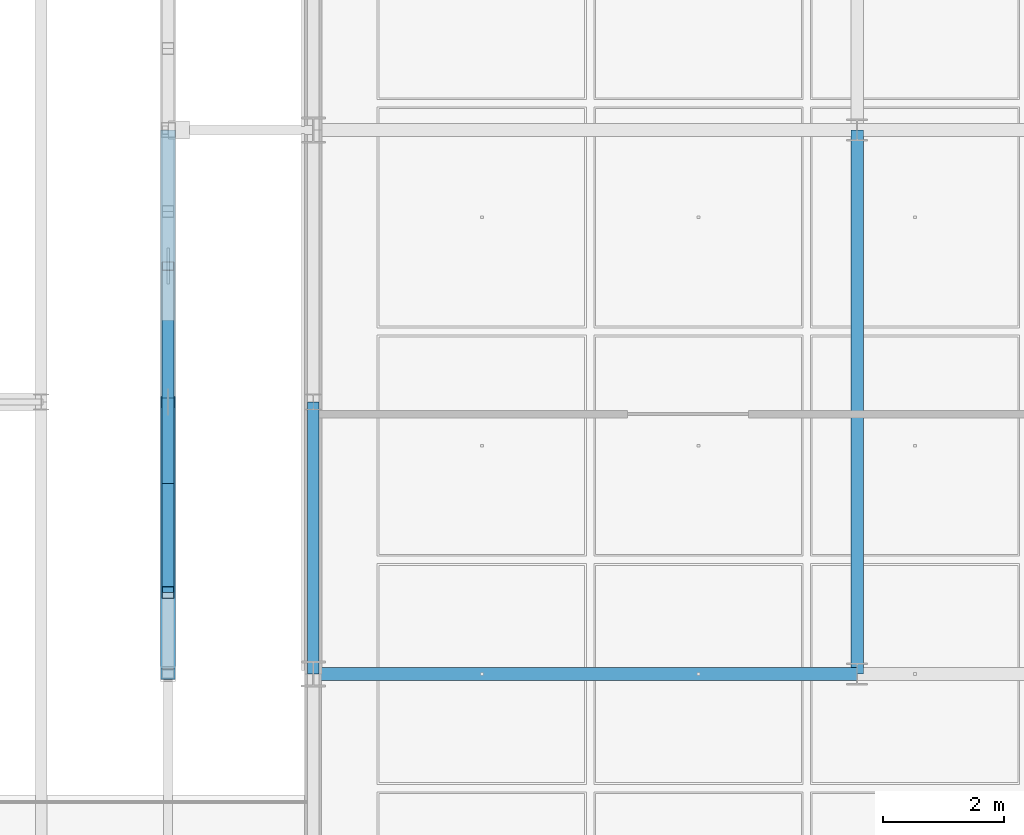
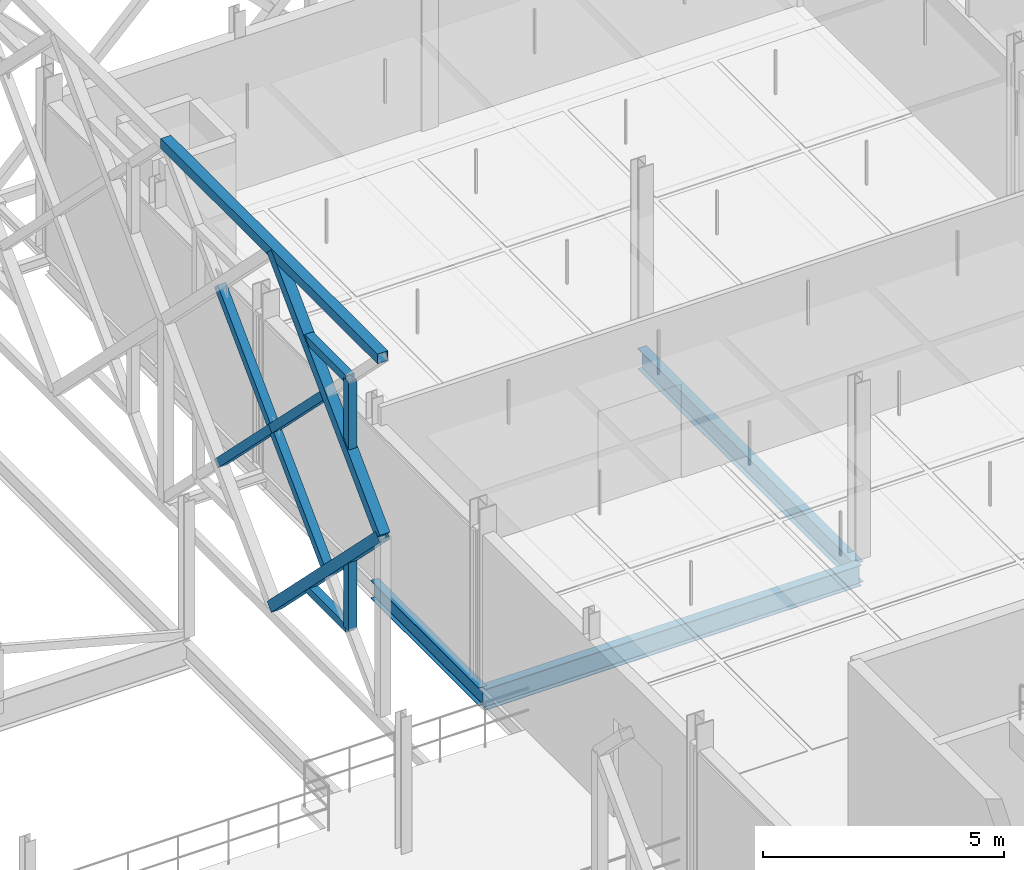
# One storey, part 24 of 140: 10 members, 3 beams.
"""IFC4 building model written with IfcOpenShell, lengths in metres."""

from ifc_helpers import new_model, si_unit, direction, frame, origin, origin_2d, place, context, subcontext, project, spatial, hollow_rectangle, i_section, extrude, material, material_profile, profile_set, type_object, element, save


model = new_model("IFC4")

# Units and contexts
model_context = context("Model", 3, precision=1e-05, world=origin(), true_north=direction((0.0, 1.0)))
body_context = subcontext(model_context, "Body", "Model", "MODEL_VIEW")
ifc_project = project(units=[si_unit("LENGTHUNIT", "METRE"), si_unit("AREAUNIT", "SQUARE_METRE"), si_unit("VOLUMEUNIT", "CUBIC_METRE"), si_unit("PLANEANGLEUNIT", "RADIAN"), si_unit("MASSUNIT", "GRAM", prefix="KILO"), si_unit("THERMODYNAMICTEMPERATUREUNIT", "KELVIN"), si_unit("POWERUNIT", "WATT")], contexts=[model_context])

# Site, building, storey
site_placement = place(None, origin())
site = spatial("IfcSite", under=ifc_project, at=site_placement, CompositionType="ELEMENT")
building_placement = place(site_placement, origin())
building = spatial("IfcBuilding", under=site, at=building_placement, Name="Tallowbark Science Centre", CompositionType="ELEMENT")
storey_placement = place(building_placement, frame((0.0, 0.0, 9.89990234375)))
storey = spatial("IfcBuildingStorey", under=building, at=storey_placement, Name="L02", CompositionType="ELEMENT", Elevation=9.89990234375)

# Beams
ifc_material_1 = material(Name="Structural Steel Grade 300PLUS (300 MPa)", Category="steel")
ifc_material_profile_1 = material_profile(ifc_material_1, i_section(OverallWidth=0.208984375, OverallDepth=0.532958984375, WebThickness=0.01025390625, FlangeThickness=0.015625, FilletRadius=0.013916015625, at=origin_2d()), Name="530UB92.4")
ifc_profile_set_1 = profile_set([ifc_material_profile_1], Name="Structural Steel Grade 300PLUS (300 MPa)")
beam_type_1 = type_object("IfcBeamType", Name="BM-UB530A", PredefinedType="BEAM", material=ifc_profile_set_1)
beam_1_placement = place(storey_placement, frame((58.5, 22.5, -0.4462890625), z_axis=(1.0, 0.0, 0.0), x_axis=(0.0, 1.0, 0.0)))
element("IfcBeam", 1, at=beam_1_placement, inside=storey, type_object=beam_type_1, Name="Primary Girder GRDX-L02-585-675-225", PredefinedType="BEAM", context=body_context, shape_type="SweptSolid", body=[
    extrude(i_section(OverallWidth=0.208984375, OverallDepth=0.532958984375, WebThickness=0.01025390625, FlangeThickness=0.015625, FilletRadius=0.013916015625, at=origin_2d()), origin(), (0.0, 0.0, 1.0), 9.0),
])
ifc_material_profile_2 = material_profile(ifc_material_1, i_section(OverallWidth=0.208740234375, OverallDepth=0.5283203125, WebThickness=0.009521484375, FlangeThickness=0.01318359375, FilletRadius=0.013916015625, at=origin_2d()), Name="530UB82.0")
ifc_profile_set_2 = profile_set([ifc_material_profile_2], Name="Structural Steel Grade 300PLUS (300 MPa)")
beam_type_2 = type_object("IfcBeamType", Name="BM-UB530B", PredefinedType="BEAM", material=ifc_profile_set_2)
beam_2_placement = place(storey_placement, frame((67.5, 22.5, -0.444091796875), z_axis=(0.0, 1.0, 0.0), x_axis=(-1.0, 0.0, 0.0)))
element("IfcBeam", 2, at=beam_2_placement, inside=storey, type_object=beam_type_2, Name="Primary Girder GRDY-L02-675-225-315", PredefinedType="BEAM", context=body_context, shape_type="SweptSolid", body=[
    extrude(i_section(OverallWidth=0.208740234375, OverallDepth=0.5283203125, WebThickness=0.009521484375, FlangeThickness=0.01318359375, FilletRadius=0.013916015625, at=origin_2d()), origin(), (0.0, 0.0, 1.0), 9.0),
])

# Members
ifc_material_2 = material(Name="White Architectural Painted Steel Grade C350L0 (350 MPa)", Category="steel")
ifc_material_profile_3 = material_profile(ifc_material_2, hollow_rectangle(XDim=0.25, YDim=0.25, WallThickness=0.009033203125, at=origin_2d()), Name="250x250x9.0SHS")
ifc_profile_set_3 = profile_set([ifc_material_profile_3], Name="White Architectural Painted Steel Grade C350L0 (350 MPa)")
member_type_1 = type_object("IfcMemberType", Name="SCR-CHD200", PredefinedType="CHORD", material=ifc_profile_set_3)
member_1_placement = place(storey_placement, frame((56.10009765625, 22.5, 9.0), z_axis=(0.0, 1.0, 0.0), x_axis=(-1.0, 0.0, 0.0)))
element("IfcMember", 3, at=member_1_placement, inside=storey, type_object=member_type_1, Name="Star Screen Frame Chord W-32", PredefinedType="CHORD", context=body_context, shape_type="SweptSolid", body=[
    extrude(hollow_rectangle(XDim=0.25, YDim=0.25, WallThickness=0.009033203125, at=origin_2d()), origin(), (0.0, 0.0, 1.0), 9.0),
])
for number, where, z_axis, x_axis, name in (
    (4, (56.10009765625, 27.0, 9.0), (0.0, -0.707106781187, -0.707106781187), (1.0, 0.0, 0.0), "Star Screen Octagram Diamond Chord W-32-3"),
    (5, (56.10009765625, 22.5, 4.5), (0.0, 0.707106781187, -0.707106781187), (-1.0, 0.0, 0.0), "Star Screen Octagram Diamond Chord W-32-4"),
):
    element("IfcMember", number, at=place(storey_placement, frame(where, z_axis=z_axis, x_axis=x_axis)), inside=storey, type_object=member_type_1, Name=name, PredefinedType="CHORD", context=body_context, shape_type="SweptSolid", body=[
        extrude(hollow_rectangle(XDim=0.25, YDim=0.25, WallThickness=0.009033203125, at=origin_2d()), origin(), (0.0, 0.0, 1.0), 6.364013671875),
    ])
ifc_material_profile_4 = material_profile(ifc_material_2, hollow_rectangle(XDim=0.199951171875, YDim=0.199951171875, WallThickness=0.009033203125, at=origin_2d()), Name="200x200x9.0SHS")
ifc_profile_set_4 = profile_set([ifc_material_profile_4], Name="White Architectural Painted Steel Grade C350L0 (350 MPa)")
member_type_2 = type_object("IfcMemberType", Name="SCR-STAR139", PredefinedType="BRACE", material=ifc_profile_set_4)
member_2_placement = place(storey_placement, frame((56.10009765625, 24.75, 2.25), z_axis=(0.0, 0.707106781187, 0.707106781187), x_axis=(-1.0, 0.0, 0.0)))
element("IfcMember", 6, at=member_2_placement, inside=storey, type_object=member_type_2, Name="Star Screen Continuous X-Diagonal D1M W-32", PredefinedType="BRACE", context=body_context, shape_type="SweptSolid", body=[
    extrude(hollow_rectangle(XDim=0.199951171875, YDim=0.199951171875, WallThickness=0.009033203125, at=origin_2d()), origin(), (0.0, 0.0, 1.0), 6.364013671875),
])
for number, where, z_axis, x_axis, name in (
    (7, (56.10009765625, 24.75, 6.75), (0.0, 0.707106781187, -0.707106781187), (-1.0, 0.0, 0.0), "Star Screen Split X-Diagonal D2B W-32"),
    (8, (56.10009765625, 27.0, 4.5), (0.0, 0.707106781187, -0.707106781187), (-1.0, 0.0, 0.0), "Star Screen Split X-Diagonal D2C W-32"),
):
    element("IfcMember", number, at=place(storey_placement, frame(where, z_axis=z_axis, x_axis=x_axis)), inside=storey, type_object=member_type_2, Name=name, PredefinedType="BRACE", context=body_context, shape_type="SweptSolid", body=[
        extrude(hollow_rectangle(XDim=0.199951171875, YDim=0.199951171875, WallThickness=0.009033203125, at=origin_2d()), origin(), (0.0, 0.0, 1.0), 3.181884765625),
    ])
ifc_material_profile_5 = material_profile(ifc_material_2, hollow_rectangle(XDim=0.199951171875, YDim=0.199951171875, WallThickness=0.009033203125, at=origin_2d()), Name="200x200x9.0SHS")
ifc_profile_set_5 = profile_set([ifc_material_profile_5], Name="White Architectural Painted Steel Grade C350L0 (350 MPa)")
member_type_3 = type_object("IfcMemberType", Name="SCR-SUB150", PredefinedType="BRACE", material=ifc_profile_set_5)
member_3_placement = place(storey_placement, frame((56.10009765625, 23.85009765625, 1.35009765625), z_axis=(0.0, 1.0, 0.0), x_axis=(-1.0, 0.0, 0.0)))
element("IfcMember", 9, at=member_3_placement, inside=storey, type_object=member_type_3, Name="Star Screen Octagram Point Ray W-32-1", PredefinedType="BRACE", context=body_context, shape_type="SweptSolid", body=[
    extrude(hollow_rectangle(XDim=0.199951171875, YDim=0.199951171875, WallThickness=0.009033203125, at=origin_2d()), origin(), (0.0, 0.0, 1.0), 1.7998046875),
])
member_4_placement = place(storey_placement, frame((56.10009765625, 23.85009765625, 1.35009765625), z_axis=(0.0, 0.0, 1.0), x_axis=(1.0, 0.0, 0.0)))
element("IfcMember", 10, at=member_4_placement, inside=storey, type_object=member_type_3, Name="Star Screen Octagram Point Ray W-32-2", PredefinedType="BRACE", context=body_context, shape_type="SweptSolid", body=[
    extrude(hollow_rectangle(XDim=0.199951171875, YDim=0.199951171875, WallThickness=0.009033203125, at=origin_2d()), origin(), (0.0, 0.0, 1.0), 1.800048828125),
])
member_5_placement = place(storey_placement, frame((56.10009765625, 23.85009765625, 7.650146484375), z_axis=(0.0, 1.0, 0.0), x_axis=(-1.0, 0.0, 0.0)))
element("IfcMember", 11, at=member_5_placement, inside=storey, type_object=member_type_3, Name="Star Screen Octagram Point Ray W-32-7", PredefinedType="BRACE", context=body_context, shape_type="SweptSolid", body=[
    extrude(hollow_rectangle(XDim=0.199951171875, YDim=0.199951171875, WallThickness=0.009033203125, at=origin_2d()), origin(), (0.0, 0.0, 1.0), 1.7998046875),
])
member_6_placement = place(storey_placement, frame((56.10009765625, 23.85009765625, 7.650146484375), z_axis=(0.0, 0.0, -1.0), x_axis=(1.0, 0.0, 0.0)))
element("IfcMember", 12, at=member_6_placement, inside=storey, type_object=member_type_3, Name="Star Screen Octagram Point Ray W-32-8", PredefinedType="BRACE", context=body_context, shape_type="SweptSolid", body=[
    extrude(hollow_rectangle(XDim=0.199951171875, YDim=0.199951171875, WallThickness=0.009033203125, at=origin_2d()), origin(), (0.0, 0.0, 1.0), 1.800048828125),
])

# Beam
ifc_material_profile_6 = material_profile(ifc_material_1, i_section(OverallWidth=0.18994140625, OverallDepth=0.453857421875, WebThickness=0.008544921875, FlangeThickness=0.0126953125, FilletRadius=0.011474609375, at=origin_2d()), Name="460UB67.1")
ifc_profile_set_6 = profile_set([ifc_material_profile_6], Name="Structural Steel Grade 300PLUS (300 MPa)")
beam_type_3 = type_object("IfcBeamType", Name="SPN-UB460", PredefinedType="SPANDREL", material=ifc_profile_set_6)
beam_3_placement = place(storey_placement, frame((58.5, 22.5, -0.40673828125), z_axis=(0.0, 1.0, 0.0), x_axis=(-1.0, 0.0, 0.0)))
element("IfcBeam", 13, at=beam_3_placement, inside=storey, type_object=beam_type_3, Name="Primary Girder GRDY-L02-585-225-270", PredefinedType="SPANDREL", context=body_context, shape_type="SweptSolid", body=[
    extrude(i_section(OverallWidth=0.18994140625, OverallDepth=0.453857421875, WebThickness=0.008544921875, FlangeThickness=0.0126953125, FilletRadius=0.011474609375, at=origin_2d()), origin(), (0.0, 0.0, 1.0), 4.5),
])

save(model, "model.ifc")
